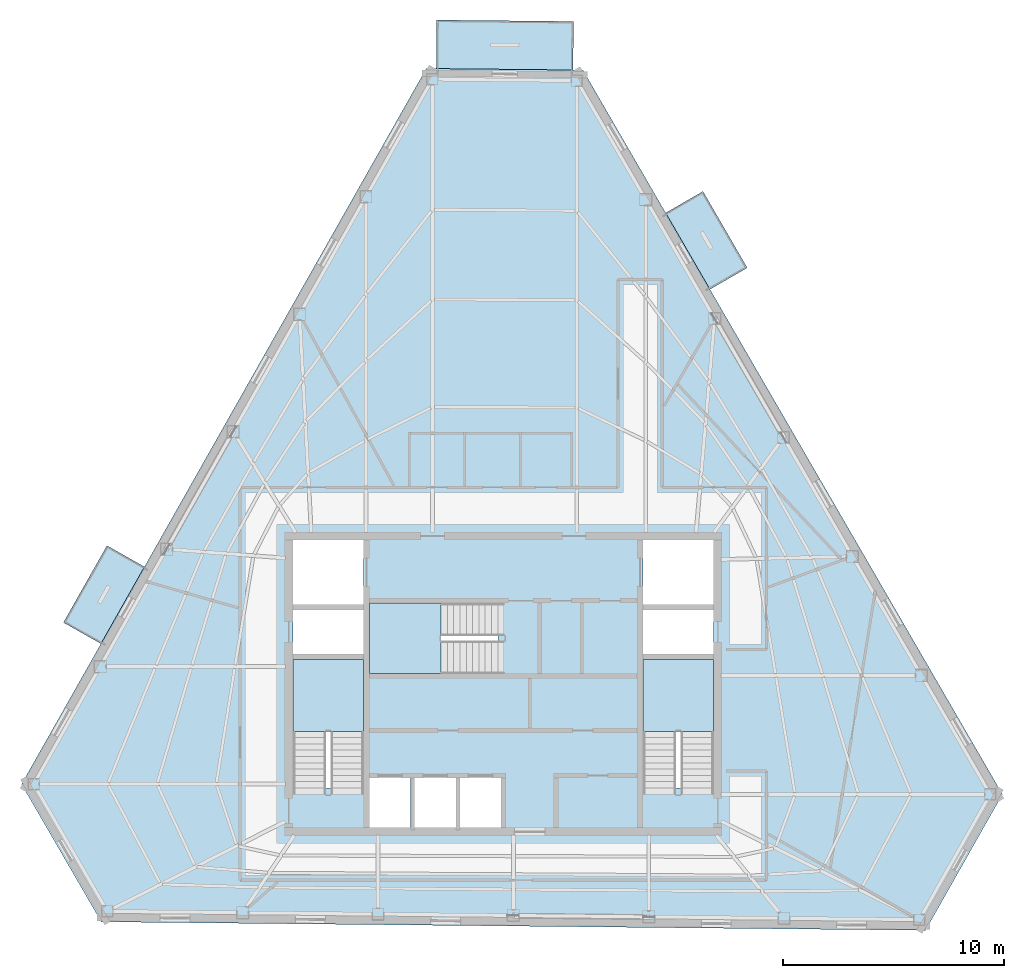
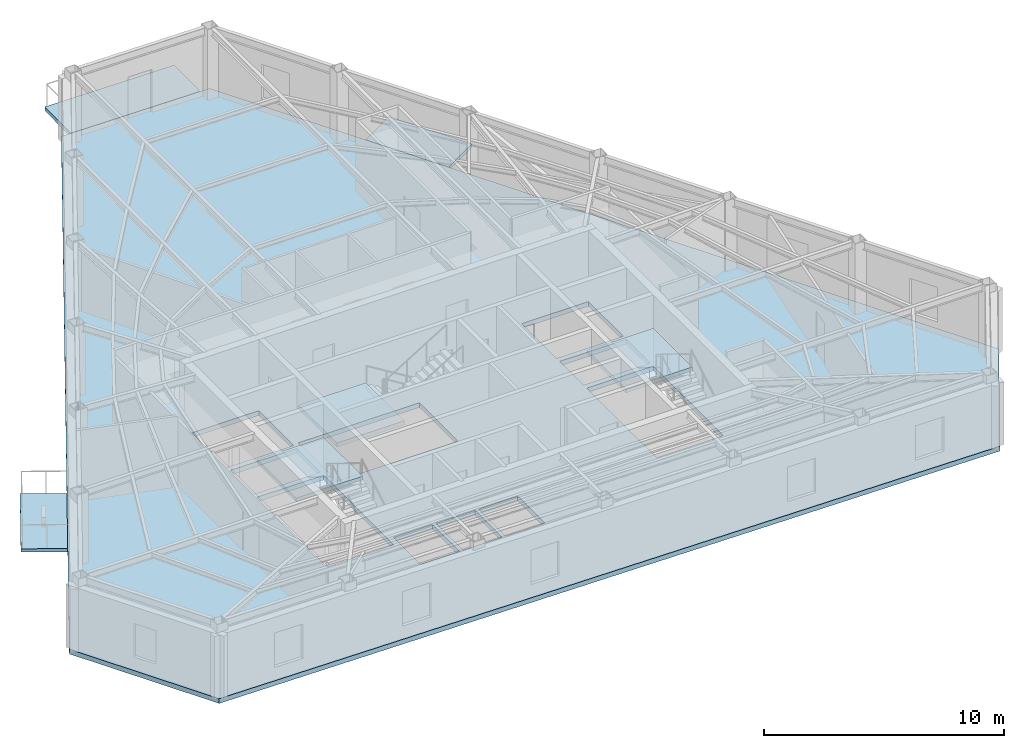
# One storey, part 3 of 10: 7 slabs, 3 elements without a shape of their own.
"""IFC4 building model written with IfcOpenShell, lengths in metres."""

from ifc_helpers import new_model, si_unit, direction, frame, origin, place, context, subcontext, project, spatial, polyline, outline, extrude, material, layer, layer_set, type_object, element, aggregate, save


model = new_model("IFC4")

# Units and contexts
model_context = context("Model", 3, precision=1e-05, world=origin(), true_north=direction((0.0, 1.0)))
body_context = subcontext(model_context, "Body", "Model", "MODEL_VIEW")
ifc_project = project(units=[si_unit("LENGTHUNIT", "METRE"), si_unit("AREAUNIT", "SQUARE_METRE"), si_unit("VOLUMEUNIT", "CUBIC_METRE"), si_unit("PLANEANGLEUNIT", "RADIAN"), si_unit("MASSUNIT", "GRAM", prefix="KILO")], contexts=[model_context])

# Site, building, storey
site_placement = place(None, origin())
site = spatial("IfcSite", under=ifc_project, at=site_placement, CompositionType="ELEMENT")
building_placement = place(site_placement, origin())
building = spatial("IfcBuilding", under=site, at=building_placement, Name="Kavelnor Concourse Tower", CompositionType="ELEMENT")
storey_placement = place(building_placement, frame((0.0, 0.0, 247.199951171875)))
storey = spatial("IfcBuildingStorey", under=building, at=storey_placement, Name="L62", CompositionType="ELEMENT", Elevation=247.199951171875)

# Slabs
ifc_material = material(Name="Concrete C40/50", Category="concrete")
ifc_layer_1 = layer(ifc_material, 0.169921875, Name="Concrete C40/50")
ifc_layer_set_1 = layer_set([ifc_layer_1], Name="Concrete C40/50")
slab_type_1 = type_object("IfcSlabType", Name="SLB-BALCONY-170", PredefinedType="FLOOR", material=ifc_layer_set_1)
slab_1_placement = place(storey_placement, frame((0.0, 0.0, -0.169921875)))
element("IfcSlab", 1, at=slab_1_placement, inside=storey, type_object=slab_type_1, Name="L62 Cantilevered Tree Balcony Slab 1", PredefinedType="FLOOR", context=body_context, shape_type="SweptSolid", body=[
    extrude(outline(polyline([(47.039794921875, 38.39111328125), (49.044921875, 34.9296875), (47.357421875, 33.952392578125), (45.3525390625, 37.41357421875), (47.039794921875, 38.39111328125)])), origin(), (0.0, 0.0, 1.0), 0.169921875),
])
slab_2_placement = place(storey_placement, frame((0.0, 0.0, -0.169921875)))
element("IfcSlab", 2, at=slab_2_placement, inside=storey, type_object=slab_type_1, Name="L62 Cantilevered Tree Balcony Slab 2", PredefinedType="FLOOR", context=body_context, shape_type="SweptSolid", body=[
    extrude(outline(polyline([(18.095703125, 18.87548828125), (20.06494140625, 22.357421875), (21.76220703125, 21.397216796875), (19.793212890625, 17.91552734375), (18.095703125, 18.87548828125)])), origin(), (0.0, 0.0, 1.0), 0.169921875),
])

# Stair, slab
stair_type = type_object("IfcStairType", Name="STR-CORE-1500", PredefinedType="HALF_TURN_STAIR", material=ifc_material)
stair_1_placement = place(storey_placement, origin())
stair_1 = element("IfcStair", 3, at=stair_1_placement, inside=storey, type_object=stair_type, Name="L62 ST1", PredefinedType="HALF_TURN_STAIR")
ifc_layer_2 = layer(ifc_material, 0.199951171875, Name="Concrete C40/50")
ifc_layer_set_2 = layer_set([ifc_layer_2], Name="Concrete C40/50")
slab_type_2 = type_object("IfcSlabType", Name="SLB-LANDING-200", PredefinedType="LANDING", material=ifc_layer_set_2)
slab_3_placement = place(storey_placement, frame((0.0, 0.0, 1.72509765625)))
slab_3 = element("IfcSlab", 4, at=slab_3_placement, type_object=slab_type_2, Name="ST1 landing 1", PredefinedType="LANDING", context=body_context, shape_type="SweptSolid", body=[
    extrude(outline(polyline([(31.679931640625, 13.949951171875), (31.679931640625, 17.199951171875), (28.47998046875, 17.199951171875), (28.47998046875, 13.949951171875), (31.679931640625, 13.949951171875)])), origin(), (0.0, 0.0, 1.0), 0.199951171875),
])
aggregate(stair_1, [slab_3])

stair_2_placement = place(storey_placement, origin())
stair_2 = element("IfcStair", 5, at=stair_2_placement, inside=storey, type_object=stair_type, Name="L62 ST2", PredefinedType="HALF_TURN_STAIR")
slab_4_placement = place(storey_placement, frame((0.0, 0.0, 1.72509765625)))
slab_4 = element("IfcSlab", 6, at=slab_4_placement, type_object=slab_type_2, Name="ST2 landing 1", PredefinedType="LANDING", context=body_context, shape_type="SweptSolid", body=[
    extrude(outline(polyline([(47.52001953125, 13.949951171875), (47.52001953125, 17.199951171875), (44.320068359375, 17.199951171875), (44.320068359375, 13.949951171875), (47.52001953125, 13.949951171875)])), origin(), (0.0, 0.0, 1.0), 0.199951171875),
])
aggregate(stair_2, [slab_4])

stair_3_placement = place(storey_placement, origin())
stair_3 = element("IfcStair", 7, at=stair_3_placement, inside=storey, type_object=stair_type, Name="L62 ST3", PredefinedType="HALF_TURN_STAIR")
slab_5_placement = place(storey_placement, frame((0.0, 0.0, 1.72509765625)))
slab_5 = element("IfcSlab", 8, at=slab_5_placement, type_object=slab_type_2, Name="ST3 landing 1", PredefinedType="LANDING", context=body_context, shape_type="SweptSolid", body=[
    extrude(outline(polyline([(35.18994140625, 19.760009765625), (31.93994140625, 19.760009765625), (31.93994140625, 16.56005859375), (35.18994140625, 16.56005859375), (35.18994140625, 19.760009765625)])), origin(), (0.0, 0.0, 1.0), 0.199951171875),
])
aggregate(stair_3, [slab_5])

# Slabs
ifc_layer_3 = layer(ifc_material, 0.239990234375, Name="Concrete C40/50")
ifc_layer_set_3 = layer_set([ifc_layer_3], Name="Concrete C40/50")
slab_type_3 = type_object("IfcSlabType", Name="SLB-OFFICE-240", PredefinedType="FLOOR", material=ifc_layer_set_3)
slab_6_placement = place(storey_placement, frame((0.0, 0.0, -0.239990234375)))
element("IfcSlab", 9, at=slab_6_placement, inside=storey, type_object=slab_type_3, Name="L62 Composite Structural Floor Slab", PredefinedType="FLOOR", context=body_context, shape_type="SweptSolid", body=[
    extrude(outline(polyline([(41.608642578125, 43.876708984375), (34.517822265625, 43.94970703125), (16.19775390625, 11.55859375), (19.806396484375, 5.3291015625), (57.11181640625, 4.94482421875), (60.593994140625, 11.1015625), (41.608642578125, 43.876708984375)]), holes=[polyline([(28.47998046875, 11.3798828125), (31.679931640625, 11.3798828125), (31.679931640625, 17.199951171875), (28.47998046875, 17.199951171875), (28.47998046875, 11.3798828125)]), polyline([(44.320068359375, 11.3798828125), (47.52001953125, 11.3798828125), (47.52001953125, 17.199951171875), (44.320068359375, 17.199951171875), (44.320068359375, 11.3798828125)]), polyline([(31.93994140625, 16.56005859375), (37.760009765625, 16.56005859375), (37.760009765625, 19.760009765625), (31.93994140625, 19.760009765625), (31.93994140625, 16.56005859375)]), polyline([(28.47998046875, 19.699951171875), (31.679931640625, 19.699951171875), (31.679931640625, 22.60009765625), (28.47998046875, 22.60009765625), (28.47998046875, 19.699951171875)]), polyline([(44.320068359375, 19.699951171875), (47.52001953125, 19.699951171875), (47.52001953125, 22.60009765625), (44.320068359375, 22.60009765625), (44.320068359375, 19.699951171875)]), polyline([(31.93994140625, 9.60009765625), (33.81005859375, 9.60009765625), (33.81005859375, 11.840087890625), (31.93994140625, 11.840087890625), (31.93994140625, 9.60009765625)]), polyline([(33.989990234375, 9.60009765625), (35.860107421875, 9.60009765625), (35.860107421875, 11.840087890625), (33.989990234375, 11.840087890625), (33.989990234375, 9.60009765625)]), polyline([(36.0400390625, 9.60009765625), (37.909912109375, 9.60009765625), (37.909912109375, 11.840087890625), (36.0400390625, 11.840087890625), (36.0400390625, 9.60009765625)]), polyline([(28.47998046875, 17.4599609375), (31.679931640625, 17.4599609375), (31.679931640625, 19.43994140625), (28.47998046875, 19.43994140625), (28.47998046875, 17.4599609375)]), polyline([(44.320068359375, 17.4599609375), (47.52001953125, 17.4599609375), (47.52001953125, 19.43994140625), (44.320068359375, 19.43994140625), (44.320068359375, 17.4599609375)])]), origin(), (0.0, 0.0, 1.0), 0.239990234375),
])
ifc_layer_4 = layer(ifc_material, 0.18994140625, Name="Concrete C40/50")
ifc_layer_set_4 = layer_set([ifc_layer_4], Name="Concrete C40/50")
slab_type_4 = type_object("IfcSlabType", Name="SLB-TERRACE-190", PredefinedType="FLOOR", material=ifc_layer_set_4)
slab_7_placement = place(storey_placement, frame((0.0, 0.0, -0.18994140625)))
element("IfcSlab", 10, at=slab_7_placement, inside=storey, type_object=slab_type_4, Name="L62 Spiralling Sky Terrace Slab", PredefinedType="FLOOR", context=body_context, shape_type="SweptSolid", body=[
    extrude(outline(polyline([(34.990478515625, 46.14501953125), (41.181396484375, 46.081298828125), (41.15869140625, 43.88134765625), (34.9677734375, 43.9453125), (34.990478515625, 46.14501953125)])), origin(), (0.0, 0.0, 1.0), 0.18994140625),
])

save(model, "model.ifc")
